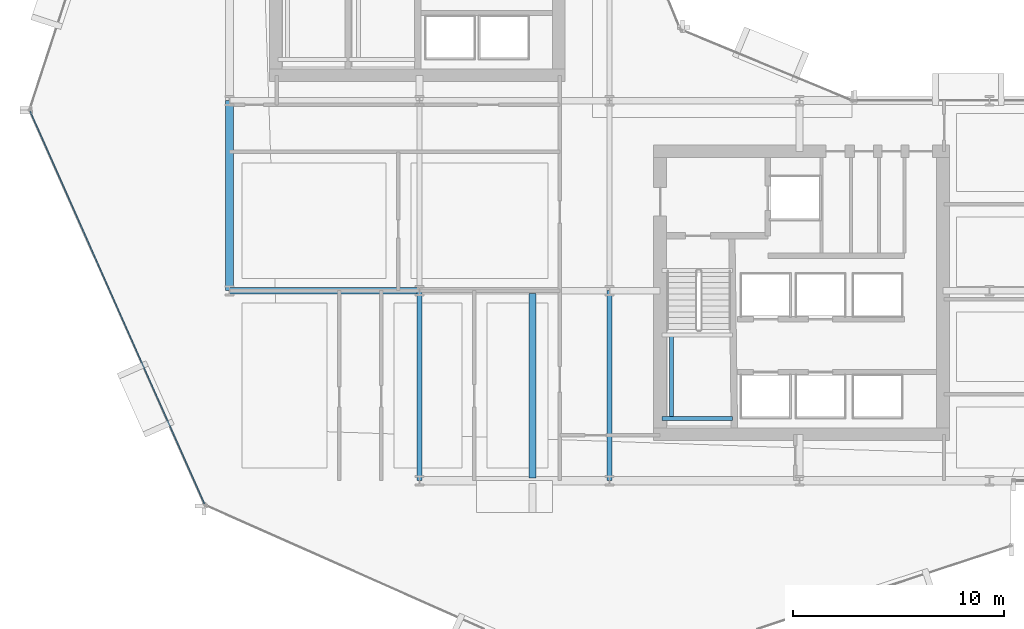
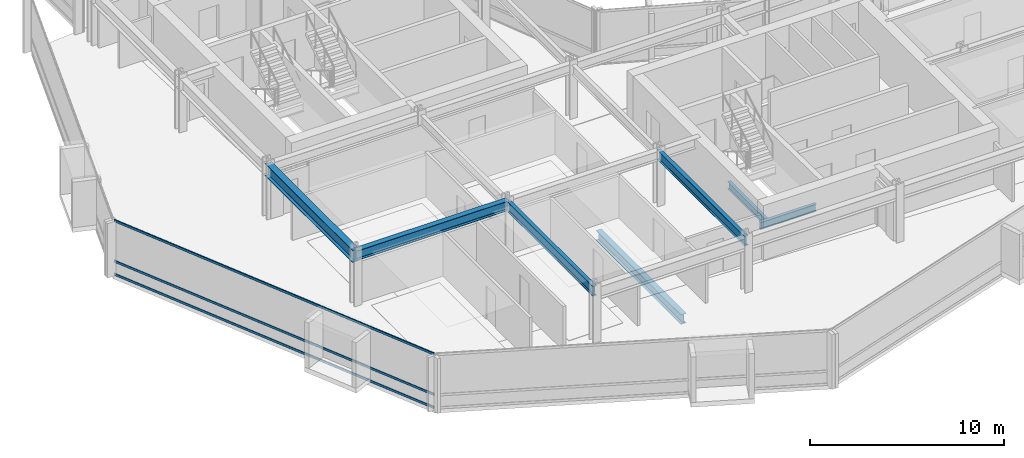
# One storey, part 5 of 34: 7 beams, 3 members, 1 element without a shape of its own.
"""IFC4 building model written with IfcOpenShell, lengths in metres."""

from ifc_helpers import new_model, si_unit, direction, frame, origin, origin_2d, place, context, subcontext, project, spatial, hollow_rectangle, i_section, extrude, material, layer, layer_set, material_profile, profile_set, type_object, element, aggregate, save


model = new_model("IFC4")

# Units and contexts
model_context = context("Model", 3, precision=1e-05, world=origin(), true_north=direction((0.0, 1.0)))
body_context = subcontext(model_context, "Body", "Model", "MODEL_VIEW")
ifc_project = project(units=[si_unit("LENGTHUNIT", "METRE"), si_unit("AREAUNIT", "SQUARE_METRE"), si_unit("VOLUMEUNIT", "CUBIC_METRE"), si_unit("PLANEANGLEUNIT", "RADIAN"), si_unit("MASSUNIT", "GRAM", prefix="KILO")], contexts=[model_context])

# Site, building, storey
site_placement = place(None, origin())
site = spatial("IfcSite", under=ifc_project, at=site_placement, CompositionType="ELEMENT")
building_placement = place(site_placement, origin())
building = spatial("IfcBuilding", under=site, at=building_placement, Name="Solvaryn Broadcast Tower", CompositionType="ELEMENT")
storey_placement = place(building_placement, frame((0.0, 0.0, 54.5)))
storey = spatial("IfcBuildingStorey", under=building, at=storey_placement, Name="L12", CompositionType="ELEMENT", Elevation=54.5)

# Beams
ifc_material_1 = material(Name="Steel ASTM A992 Grade 50", Category="steel")
ifc_material_profile_1 = material_profile(ifc_material_1, i_section(OverallWidth=0.323974609375, OverallDepth=0.611083984375, WebThickness=0.0126953125, FlangeThickness=0.01904296875, FilletRadius=0.014892578125, at=origin_2d()))
ifc_profile_set_1 = profile_set([ifc_material_profile_1], Name="Steel ASTM A992 Grade 50")
beam_type_1 = type_object("IfcBeamType", Name="BM-B1-W24X104", PredefinedType="BEAM", material=ifc_profile_set_1)
beam_1_placement = place(storey_placement, frame((23.35009765625, 17.875, -0.58544921875), z_axis=(0.0, -1.0, 0.0), x_axis=(1.0, 0.0, 0.0)))
element("IfcBeam", 1, at=beam_1_placement, inside=storey, type_object=beam_type_1, Name="L12 Bay-Box Back-Span Beam 1", PredefinedType="BEAM", context=body_context, shape_type="SweptSolid", body=[
    extrude(i_section(OverallWidth=0.323974609375, OverallDepth=0.611083984375, WebThickness=0.0126953125, FlangeThickness=0.01904296875, FilletRadius=0.014892578125, at=origin_2d()), origin(), (0.0, 0.0, 1.0), 8.75),
])
beam_2_placement = place(storey_placement, frame((9.0, 18.0, 3.114501953125), z_axis=(1.0, 0.0, 0.0), x_axis=(0.0, 1.0, 0.0)))
element("IfcBeam", 2, at=beam_2_placement, inside=storey, type_object=beam_type_1, Name="L12 Primary Beam X (9-18 @ Y=18)", PredefinedType="BEAM", context=body_context, shape_type="SweptSolid", body=[
    extrude(i_section(OverallWidth=0.323974609375, OverallDepth=0.611083984375, WebThickness=0.0126953125, FlangeThickness=0.01904296875, FilletRadius=0.014892578125, at=origin_2d()), origin(), (0.0, 0.0, 1.0), 9.0),
])
ifc_material_2 = material(Name="Steel ASTM A992 Grade 50", Category="steel")
ifc_material_profile_2 = material_profile(ifc_material_2, i_section(OverallWidth=0.22802734375, OverallDepth=0.60791015625, WebThickness=0.01123046875, FlangeThickness=0.017333984375, FilletRadius=0.014892578125, at=origin_2d()))
ifc_profile_set_2 = profile_set([ifc_material_profile_2], Name="Steel ASTM A992 Grade 50")
beam_type_2 = type_object("IfcBeamType", Name="BM-B2-W24X76", PredefinedType="BEAM", material=ifc_profile_set_2)
for number, where, z_axis, x_axis, name in (
    (3, (18.0, 9.0, 3.115966796875), (0.0, 1.0, 0.0), (-1.0, 0.0, 0.0), "L12 Primary Beam Y (9-18 @ X=18)"),
    (4, (27.0, 9.0, 3.115966796875), (0.0, 1.0, 0.0), (-1.0, 0.0, 0.0), "L12 Primary Beam Y (9-18 @ X=27)"),
):
    element("IfcBeam", number, at=place(storey_placement, frame(where, z_axis=z_axis, x_axis=x_axis)), inside=storey, type_object=beam_type_2, Name=name, PredefinedType="BEAM", context=body_context, shape_type="SweptSolid", body=[
        extrude(i_section(OverallWidth=0.22802734375, OverallDepth=0.60791015625, WebThickness=0.01123046875, FlangeThickness=0.017333984375, FilletRadius=0.014892578125, at=origin_2d()), origin(), (0.0, 0.0, 1.0), 9.0),
    ])
ifc_material_3 = material(Name="Steel ASTM A992 Grade 50", Category="steel")
ifc_material_profile_3 = material_profile(ifc_material_3, i_section(OverallWidth=0.18994140625, OverallDepth=0.45703125, WebThickness=0.009033203125, FlangeThickness=0.014404296875, FilletRadius=0.011962890625, at=origin_2d()))
ifc_profile_set_3 = profile_set([ifc_material_profile_3], Name="Steel ASTM A992 Grade 50")
beam_type_3 = type_object("IfcBeamType", Name="BM-B4-W18X50", PredefinedType="BEAM", material=ifc_profile_set_3)
beam_3_placement = place(storey_placement, frame((29.5, 11.949951171875, 1.42138671875), z_axis=(1.0, 0.0, 0.0), x_axis=(0.0, 1.0, 0.0)))
element("IfcBeam", 5, at=beam_3_placement, inside=storey, type_object=beam_type_3, Name="L12 ST3 Landing Support Beam 1A", PredefinedType="BEAM", context=body_context, shape_type="SweptSolid", body=[
    extrude(i_section(OverallWidth=0.18994140625, OverallDepth=0.45703125, WebThickness=0.009033203125, FlangeThickness=0.014404296875, FilletRadius=0.011962890625, at=origin_2d()), origin(), (0.0, 0.0, 1.0), 3.320068359375),
])
beam_4_placement = place(storey_placement, frame((29.949951171875, 11.949951171875, 1.42138671875), z_axis=(0.0, 1.0, 0.0), x_axis=(-1.0, 0.0, 0.0)))
element("IfcBeam", 6, at=beam_4_placement, inside=storey, type_object=beam_type_3, Name="L12 ST3 Landing Cross Stringer 1C", PredefinedType="BEAM", context=body_context, shape_type="SweptSolid", body=[
    extrude(i_section(OverallWidth=0.18994140625, OverallDepth=0.45703125, WebThickness=0.009033203125, FlangeThickness=0.014404296875, FilletRadius=0.011962890625, at=origin_2d()), origin(), (0.0, 0.0, 1.0), 3.9599609375),
])
ifc_material_4 = material(Name="Steel ASTM A992 Grade 50", Category="steel")
ifc_material_profile_4 = material_profile(ifc_material_4, i_section(OverallWidth=0.381103515625, OverallDepth=0.77294921875, WebThickness=0.0166015625, FlangeThickness=0.027099609375, FilletRadius=0.01806640625, at=origin_2d()))
ifc_profile_set_4 = profile_set([ifc_material_profile_4], Name="Steel ASTM A992 Grade 50")
beam_type_4 = type_object("IfcBeamType", Name="BM-SP1-W30X173", PredefinedType="USERDEFINED", material=ifc_profile_set_4)
beam_5_placement = place(storey_placement, frame((9.0, 18.0, 3.033447265625), z_axis=(0.0, 1.0, 0.0), x_axis=(-1.0, 0.0, 0.0)))
element("IfcBeam", 7, at=beam_5_placement, inside=storey, type_object=beam_type_4, Name="L12 Spandrel Beam Y (18-27 @ X=9)", ObjectType="SPANDREL", PredefinedType="USERDEFINED", context=body_context, shape_type="SweptSolid", body=[
    extrude(i_section(OverallWidth=0.381103515625, OverallDepth=0.77294921875, WebThickness=0.0166015625, FlangeThickness=0.027099609375, FilletRadius=0.01806640625, at=origin_2d()), origin(), (0.0, 0.0, 1.0), 9.0),
])

# Curtain wall, members
ifc_material_5 = material(Name="Aluminium and Terracotta Unitised Curtain Wall", Category="masonry")
ifc_layer = layer(ifc_material_5, 0.199951171875)
ifc_layer_set = layer_set([ifc_layer], Name="CW-SYS2-LOWMID")
curtain_wall_type = type_object("IfcCurtainWallType", Name="CW-SYS2-LOWMID", PredefinedType="NOTDEFINED", material=ifc_layer_set)
curtain_wall_placement = place(storey_placement, origin())
curtain_wall = element("IfcCurtainWall", 8, at=curtain_wall_placement, inside=storey, type_object=curtain_wall_type, Name="L12 Curtain Wall DR2", PredefinedType="NOTDEFINED")
ifc_material_6 = material(Name="Anodised Aluminium 6063-T6", Category="aluminium")
ifc_material_profile_5 = material_profile(ifc_material_6, hollow_rectangle(XDim=0.06494140625, YDim=0.14990234375, WallThickness=0.00390625, InnerFilletRadius=0.00390625, OuterFilletRadius=0.008056640625, at=origin_2d()))
ifc_profile_set_5 = profile_set([ifc_material_profile_5], Name="Anodised Aluminium 6063-T6")
member_type = type_object("IfcMemberType", Name="CW-TRN-150", PredefinedType="USERDEFINED", material=ifc_profile_set_5)
member_1_placement = place(storey_placement, frame((-0.439697265625, 26.505126953125, 0.030029296875), z_axis=(0.405905872269, -0.913914888191, 0.0), x_axis=(0.913914888191, 0.405905872269, 0.0)))
member_1 = element("IfcMember", 9, at=member_1_placement, type_object=member_type, Name="CWS2 transom 1.1", ObjectType="TRANSOM", PredefinedType="USERDEFINED", context=body_context, shape_type="SweptSolid", body=[
    extrude(hollow_rectangle(XDim=0.06494140625, YDim=0.14990234375, WallThickness=0.00390625, InnerFilletRadius=0.00390625, OuterFilletRadius=0.008056640625, at=origin_2d()), origin(), (0.0, 0.0, 1.0), 20.35546875),
])
member_2_placement = place(storey_placement, frame((-0.439697265625, 26.505126953125, 0.85009765625), z_axis=(0.405905872269, -0.913914888191, 0.0), x_axis=(0.913914888191, 0.405905872269, 0.0)))
member_2 = element("IfcMember", 10, at=member_2_placement, type_object=member_type, Name="CWS2 transom 1.2", ObjectType="TRANSOM", PredefinedType="USERDEFINED", context=body_context, shape_type="SweptSolid", body=[
    extrude(hollow_rectangle(XDim=0.06494140625, YDim=0.14990234375, WallThickness=0.00390625, InnerFilletRadius=0.00390625, OuterFilletRadius=0.008056640625, at=origin_2d()), origin(), (0.0, 0.0, 1.0), 20.35546875),
])
member_3_placement = place(storey_placement, frame((-0.439697265625, 26.505126953125, 3.389892578125), z_axis=(0.405905872269, -0.913914888191, 0.0), x_axis=(0.913914888191, 0.405905872269, 0.0)))
member_3 = element("IfcMember", 11, at=member_3_placement, type_object=member_type, Name="CWS2 transom 1.3", ObjectType="TRANSOM", PredefinedType="USERDEFINED", context=body_context, shape_type="SweptSolid", body=[
    extrude(hollow_rectangle(XDim=0.06494140625, YDim=0.14990234375, WallThickness=0.00390625, InnerFilletRadius=0.00390625, OuterFilletRadius=0.008056640625, at=origin_2d()), origin(), (0.0, 0.0, 1.0), 20.35546875),
])
aggregate(curtain_wall, [member_1, member_2, member_3])

save(model, "model.ifc")
